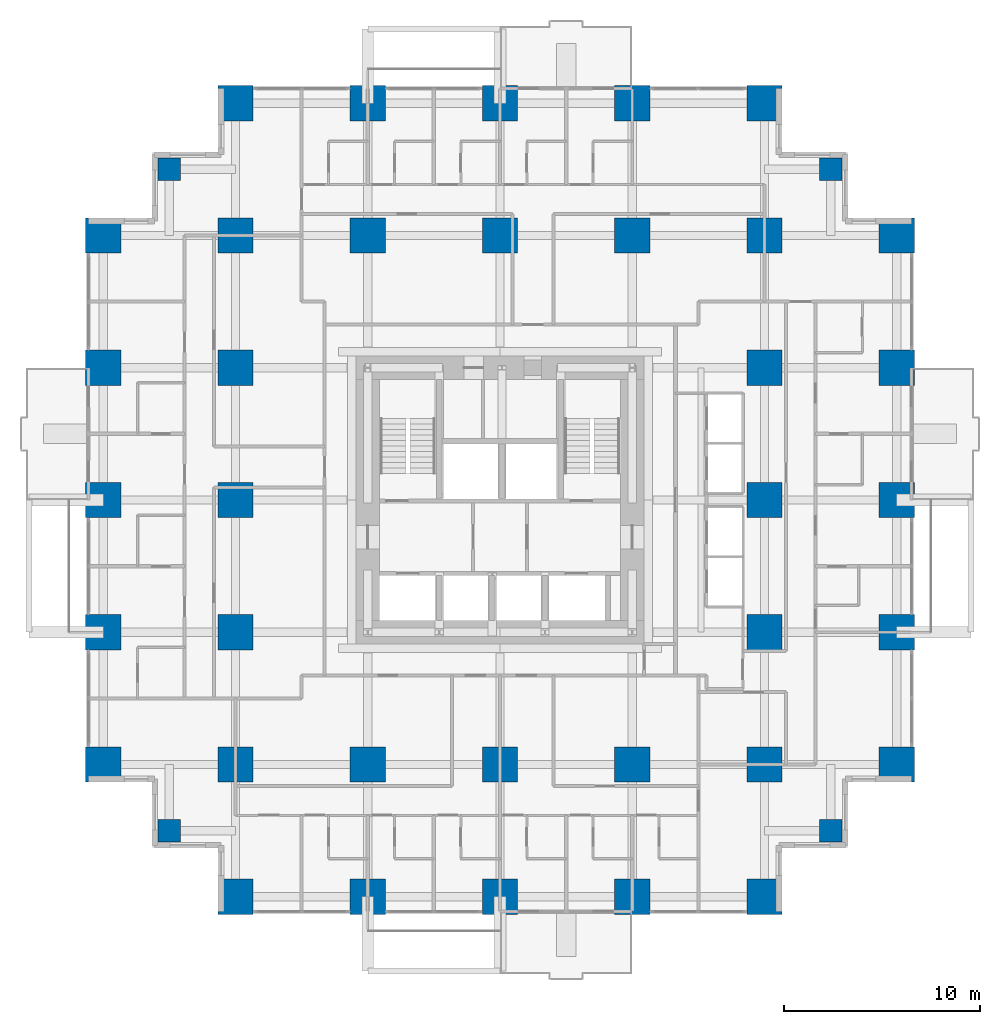
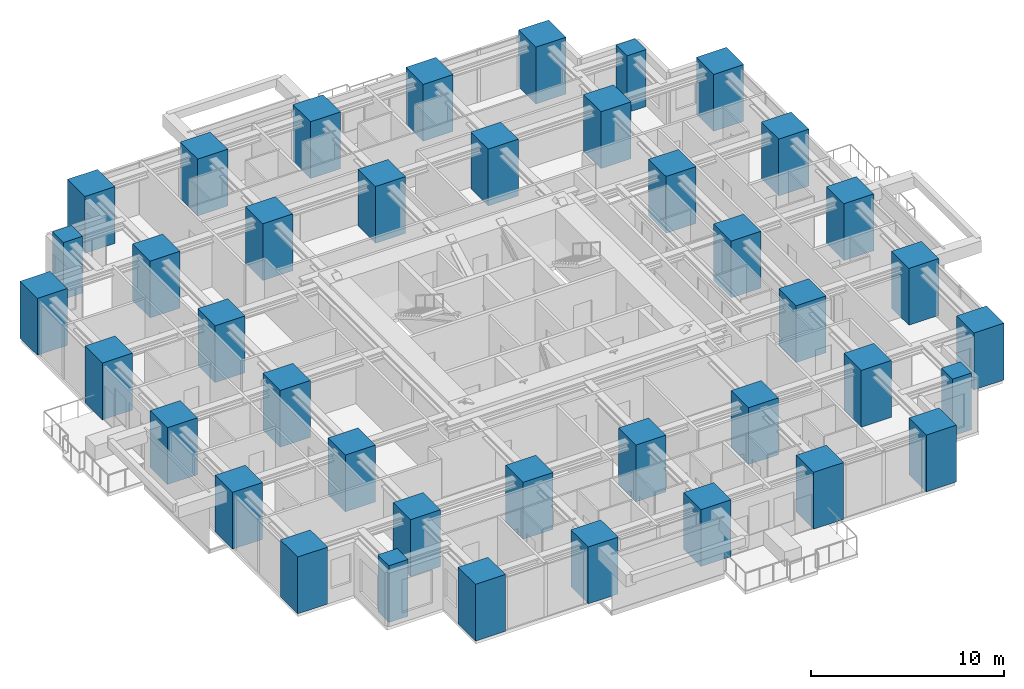
# One storey, part 1 of 14: 40 columns.
"""IFC4 building model written with IfcOpenShell, lengths in metres."""

import ifcopenshell
import ifcopenshell.guid

model = None  # the IFC model being written
_history = None  # IfcOwnerHistory: only IFC2X3 demands one
_inside = {}  # id of a spatial element -> (the spatial element, [elements in it])
_under = {}  # id of a project, library or spatial element -> (it, [spatial elements below it])
_declared = {}  # id of a project -> (the project, [libraries it declares])
_typed = {}  # id of a type object -> (the type object, [elements of that type])
_made_of = {}  # id of a material, layer set ... -> (it, [elements and type objects made of it])


def new_model(schema):
    """Start an empty IFC model of exactly this schema.

    Asked for "IFC4X3", IfcOpenShell would pick the latest addendum, in which some entities
    have other attributes; the version numbers below select the first issue.
    IFC2X3 requires an IfcOwnerHistory on every rooted entity: one is made here for all.
    """
    global model, _history
    if schema == "IFC4X3":
        model = ifcopenshell.file(schema_version=(4, 3, 0, 0))
    else:
        model = ifcopenshell.file(schema=schema)
    _inside.clear()
    _under.clear()
    _declared.clear()
    _typed.clear()
    _made_of.clear()
    _history = None
    if model.schema == "IFC2X3":
        org = make("IfcOrganization", Name="unknown")
        user = make(
            "IfcPersonAndOrganization",
            ThePerson=make("IfcPerson", FamilyName="unknown"),
            TheOrganization=org,
        )
        app = make(
            "IfcApplication",
            ApplicationDeveloper=org,
            Version="unknown",
            ApplicationFullName="unknown",
            ApplicationIdentifier="unknown",
        )
        _history = make(
            "IfcOwnerHistory",
            OwningUser=user,
            OwningApplication=app,
            ChangeAction="ADDED",
            CreationDate=0,
        )
    return model


def make(cls, **values):
    """One entity of the class cls with the attributes given. An attribute that is None is left unset."""
    return model.create_entity(
        cls, **{name: value for name, value in values.items() if value is not None}
    )


def rooted(cls, **values):
    """An entity with a GlobalId (a new one), such as an element, a storey or a relation."""
    return make(cls, GlobalId=ifcopenshell.guid.new(), OwnerHistory=_history, **values)


def si_unit(unit_type, name, prefix=None):
    """IfcSIUnit, for example si_unit("LENGTHUNIT", "METRE", prefix="MILLI")."""
    return make("IfcSIUnit", UnitType=unit_type, Prefix=prefix, Name=name)


def assignment(units):
    """IfcUnitAssignment: the units of a project."""
    return None if units is None else make("IfcUnitAssignment", Units=units)


def point(xyz):
    """IfcCartesianPoint."""
    return None if xyz is None else make("IfcCartesianPoint", Coordinates=xyz)


def direction(xyz):
    """IfcDirection."""
    return None if xyz is None else make("IfcDirection", DirectionRatios=xyz)


def frame(location, z_axis=None, x_axis=None):
    """IfcAxis2Placement3D, a coordinate frame: its origin and axes. An axis left out is left unset."""
    return make(
        "IfcAxis2Placement3D",
        Location=point(location),
        Axis=direction(z_axis),
        RefDirection=direction(x_axis),
    )


def frame_2d(location, x_axis=None):
    """IfcAxis2Placement2D, a coordinate frame in the plane: its origin and x axis."""
    return make(
        "IfcAxis2Placement2D", Location=point(location), RefDirection=direction(x_axis)
    )


def origin():
    """The frame at (0, 0, 0) with its axes left unset."""
    return frame((0.0, 0.0, 0.0))


def origin_2d():
    """The frame at (0, 0) in the plane with its x axis left unset."""
    return frame_2d((0.0, 0.0))


def place(relative_to, where):
    """IfcLocalPlacement: puts the frame where relative to a parent placement (None: the world)."""
    return make(
        "IfcLocalPlacement", PlacementRelTo=relative_to, RelativePlacement=where
    )


def context(
    kind, dimensions, precision=None, world=None, true_north=None, identifier=None
):
    """IfcGeometricRepresentationContext, for example the 3D "Model" context."""
    return make(
        "IfcGeometricRepresentationContext",
        ContextIdentifier=identifier,
        ContextType=kind,
        CoordinateSpaceDimension=dimensions,
        Precision=precision,
        WorldCoordinateSystem=world,
        TrueNorth=true_north,
    )


def subcontext(parent, identifier, kind, view, scale=None):
    """IfcGeometricRepresentationSubContext, for example "Body" below "Model"."""
    return make(
        "IfcGeometricRepresentationSubContext",
        ContextIdentifier=identifier,
        ContextType=kind,
        ParentContext=parent,
        TargetScale=scale,
        TargetView=view,
    )


def project(units=None, contexts=None):
    """IfcProject with its units and contexts."""
    return rooted(
        "IfcProject",
        Name="project",
        RepresentationContexts=contexts,
        UnitsInContext=assignment(units),
    )


def spatial(cls, under=None, at=None, **own):
    """A site, building, storey or space (cls), placed at a placement, below another one or the project."""
    s = rooted(cls, ObjectPlacement=at, **own)
    if under is not None:
        _under.setdefault(under.id(), (under, []))[1].append(s)
    return s


def profile(cls, at=None, kind="AREA", **sizes):
    """A parametric profile (cls). Its sizes go by their IFC names, for example OverallWidth=200.0."""
    return make(cls, ProfileType=kind, Position=at, **sizes)


def rectangle(**sizes):
    """IfcRectangleProfileDef."""
    return profile("IfcRectangleProfileDef", **sizes)


def extrude(swept, where, along, depth):
    """IfcExtrudedAreaSolid: the profile swept, set in the frame where, extruded along a direction by depth."""
    return make(
        "IfcExtrudedAreaSolid",
        SweptArea=swept,
        Position=where,
        ExtrudedDirection=direction(along),
        Depth=depth,
    )


def shape(context_of_items, identifier, shape_type, items):
    """IfcShapeRepresentation: the items that make up one representation, for example the "Body"."""
    return make(
        "IfcShapeRepresentation",
        ContextOfItems=context_of_items,
        RepresentationIdentifier=identifier,
        RepresentationType=shape_type,
        Items=items,
    )


def material(Name=None, Category=None):
    """IfcMaterial."""
    return make("IfcMaterial", Name=Name, Category=Category)


def material_profile(
    of_material, cross_section, Name=None, Category=None, Priority=None
):
    """IfcMaterialProfile: a cross section and its material."""
    return make(
        "IfcMaterialProfile",
        Name=Name,
        Material=of_material,
        Profile=cross_section,
        Priority=Priority,
        Category=Category,
    )


def profile_set(profiles, Name=None, composite=None):
    """IfcMaterialProfileSet."""
    return make(
        "IfcMaterialProfileSet",
        Name=Name,
        MaterialProfiles=profiles,
        CompositeProfile=composite,
    )


def made_of(thing, what):
    """Note that an element or type object is made of a material, layer set ...; save() writes the relation."""
    if what is not None:
        _made_of.setdefault(what.id(), (what, []))[1].append(thing)
    return thing


def type_object(cls, material=None, **own):
    """A type object (cls), such as IfcWallType, which elements share."""
    return made_of(rooted(cls, **own), material)


def element(
    cls,
    number,
    at=None,
    inside=None,
    cuts=None,
    type_object=None,
    material=None,
    context=None,
    identifier="Body",
    shape_type=None,
    held_by="IfcProductDefinitionShape",
    body=None,
    shapes=None,
    **own,
):
    """One element of the class cls, such as IfcWall. Its Tag is "e" and its number.

    at: its placement. inside: the storey or other place that contains it. cuts: it is an
    opening in that element (IfcRelVoidsElement). A single representation is given by context,
    identifier, shape_type and body (its items); several are given by shapes. held_by: the class
    of the entity that holds the representations. save() writes the other relations.
    """
    e = rooted(cls, Tag="e%d" % number, ObjectPlacement=at, **own)
    if body is not None:
        shapes = [shape(context, identifier, shape_type, body)]
    if shapes is not None:
        e.Representation = make(held_by, Representations=shapes)
    if inside is not None:
        _inside.setdefault(inside.id(), (inside, []))[1].append(e)
    if cuts is not None:
        rooted(
            "IfcRelVoidsElement", RelatingBuildingElement=cuts, RelatedOpeningElement=e
        )
    if type_object is not None:
        _typed.setdefault(type_object.id(), (type_object, []))[1].append(e)
    return made_of(e, material)


def aggregate(whole, parts):
    """IfcRelAggregates: a whole, such as a stair, and the parts it consists of."""
    return rooted("IfcRelAggregates", RelatingObject=whole, RelatedObjects=parts)


def save(model, path):
    """Write the relations noted so far, then the file.

    IfcRelAggregates (storeys below a building ...), IfcRelContainedInSpatialStructure (elements
    in a storey), IfcRelDefinesByType, IfcRelAssociatesMaterial and IfcRelDeclares: one each for
    every whole, place, type object, material and project.
    """
    for whole, parts in _under.values():
        aggregate(whole, parts)
    for where, things in _inside.values():
        rooted(
            "IfcRelContainedInSpatialStructure",
            RelatedElements=things,
            RelatingStructure=where,
        )
    for kind, things in _typed.values():
        rooted("IfcRelDefinesByType", RelatedObjects=things, RelatingType=kind)
    for what, things in _made_of.values():
        rooted("IfcRelAssociatesMaterial", RelatedObjects=things, RelatingMaterial=what)
    for by, libraries in _declared.values():
        rooted("IfcRelDeclares", RelatingContext=by, RelatedDefinitions=libraries)
    model.write(path)


model = new_model("IFC4")

# Units and contexts
model_context = context("Model", 3, precision=1e-05, world=origin(), true_north=direction((0.0, 1.0)))
body_context = subcontext(model_context, "Body", "Model", "MODEL_VIEW")
ifc_project = project(units=[si_unit("LENGTHUNIT", "METRE"), si_unit("AREAUNIT", "SQUARE_METRE"), si_unit("VOLUMEUNIT", "CUBIC_METRE"), si_unit("PLANEANGLEUNIT", "RADIAN"), si_unit("MASSUNIT", "GRAM", prefix="KILO")], contexts=[model_context])

# Site, building, storey
site_placement = place(None, origin())
site = spatial("IfcSite", under=ifc_project, at=site_placement, CompositionType="ELEMENT")
building_placement = place(site_placement, origin())
building = spatial("IfcBuilding", under=site, at=building_placement, Name="Nyansa Garden Tower", CompositionType="ELEMENT")
storey_placement = place(building_placement, frame((0.0, 0.0, 64.800048828125)))
storey = spatial("IfcBuildingStorey", under=building, at=storey_placement, Name="L17", CompositionType="ELEMENT", Elevation=64.800048828125)

# Columns
ifc_material_1 = material(Name="Concrete C70/85", Category="concrete")
ifc_material_profile_1 = material_profile(ifc_material_1, rectangle(XDim=1.14990234375, YDim=1.14990234375, at=origin_2d()), Name="RC 1150x1150")
ifc_profile_set_1 = profile_set([ifc_material_profile_1], Name="Concrete C70/85")
column_type_1 = type_object("IfcColumnType", Name="Column C115 RC 1150x1150", PredefinedType="COLUMN", material=ifc_profile_set_1)
for number, where, z_axis, x_axis, name in (
    (1, (3.375, 3.375, 0.0), (0.0, 0.0, 1.0), (1.0, 0.0, 0.0), "Column x3.375/y3.375 L17"),
    (2, (3.375, 37.125, 0.0), (0.0, 0.0, 1.0), (1.0, 0.0, 0.0), "Column x3.375/y37.125 L17"),
    (3, (37.125, 3.375, 0.0), (0.0, 0.0, 1.0), (1.0, 0.0, 0.0), "Column x37.125/y3.375 L17"),
    (4, (37.125, 37.125, 0.0), (0.0, 0.0, 1.0), (1.0, 0.0, 0.0), "Column x37.125/y37.125 L17"),
):
    element("IfcColumn", number, at=place(storey_placement, frame(where, z_axis=z_axis, x_axis=x_axis)), inside=storey, type_object=column_type_1, Name=name, PredefinedType="COLUMN", context=body_context, shape_type="SweptSolid", body=[
        extrude(rectangle(XDim=1.14990234375, YDim=1.14990234375, at=origin_2d()), origin(), (0.0, 0.0, 1.0), 3.599853515625),
    ])
ifc_material_2 = material(Name="Concrete C80/95", Category="concrete")
ifc_material_profile_2 = material_profile(ifc_material_2, rectangle(XDim=1.800048828125, YDim=1.800048828125, at=origin_2d()), Name="RC 1800x1800")
ifc_profile_set_2 = profile_set([ifc_material_profile_2], Name="Concrete C80/95")
column_type_2 = type_object("IfcColumnType", Name="Column C180 RC 1800x1800", PredefinedType="COLUMN", material=ifc_profile_set_2)
for number, where, z_axis, x_axis, name in (
    (5, (0.0, 6.75, 0.0), (0.0, 0.0, 1.0), (1.0, 0.0, 0.0), "Column 2/E L17"),
    (6, (0.0, 13.5, 0.0), (0.0, 0.0, 1.0), (1.0, 0.0, 0.0), "Column 2/F L17"),
    (7, (0.0, 20.25, 0.0), (0.0, 0.0, 1.0), (1.0, 0.0, 0.0), "Column 2/G L17"),
    (8, (0.0, 27.0, 0.0), (0.0, 0.0, 1.0), (1.0, 0.0, 0.0), "Column 2/H L17"),
    (9, (0.0, 33.75, 0.0), (0.0, 0.0, 1.0), (1.0, 0.0, 0.0), "Column 2/J L17"),
    (10, (6.75, 0.0, 0.0), (0.0, 0.0, 1.0), (1.0, 0.0, 0.0), "Column 3/D L17"),
    (11, (6.75, 6.75, 0.0), (0.0, 0.0, 1.0), (1.0, 0.0, 0.0), "Column 3/E L17"),
    (12, (6.75, 13.5, 0.0), (0.0, 0.0, 1.0), (1.0, 0.0, 0.0), "Column 3/F L17"),
    (13, (6.75, 20.25, 0.0), (0.0, 0.0, 1.0), (1.0, 0.0, 0.0), "Column 3/G L17"),
    (14, (6.75, 27.0, 0.0), (0.0, 0.0, 1.0), (1.0, 0.0, 0.0), "Column 3/H L17"),
    (15, (6.75, 33.75, 0.0), (0.0, 0.0, 1.0), (1.0, 0.0, 0.0), "Column 3/J L17"),
    (16, (6.75, 40.5, 0.0), (0.0, 0.0, 1.0), (1.0, 0.0, 0.0), "Column 3/K L17"),
    (17, (13.5, 0.0, 0.0), (0.0, 0.0, 1.0), (1.0, 0.0, 0.0), "Column 4/D L17"),
    (18, (13.5, 6.75, 0.0), (0.0, 0.0, 1.0), (1.0, 0.0, 0.0), "Column 4/E L17"),
    (19, (13.5, 33.75, 0.0), (0.0, 0.0, 1.0), (1.0, 0.0, 0.0), "Column 4/J L17"),
    (20, (13.5, 40.5, 0.0), (0.0, 0.0, 1.0), (1.0, 0.0, 0.0), "Column 4/K L17"),
    (21, (20.25, 0.0, 0.0), (0.0, 0.0, 1.0), (1.0, 0.0, 0.0), "Column 5/D L17"),
    (22, (20.25, 6.75, 0.0), (0.0, 0.0, 1.0), (1.0, 0.0, 0.0), "Column 5/E L17"),
    (23, (20.25, 33.75, 0.0), (0.0, 0.0, 1.0), (1.0, 0.0, 0.0), "Column 5/J L17"),
    (24, (20.25, 40.5, 0.0), (0.0, 0.0, 1.0), (1.0, 0.0, 0.0), "Column 5/K L17"),
    (25, (27.0, 0.0, 0.0), (0.0, 0.0, 1.0), (1.0, 0.0, 0.0), "Column 6/D L17"),
    (26, (27.0, 6.75, 0.0), (0.0, 0.0, 1.0), (1.0, 0.0, 0.0), "Column 6/E L17"),
    (27, (27.0, 33.75, 0.0), (0.0, 0.0, 1.0), (1.0, 0.0, 0.0), "Column 6/J L17"),
    (28, (27.0, 40.5, 0.0), (0.0, 0.0, 1.0), (1.0, 0.0, 0.0), "Column 6/K L17"),
    (29, (33.75, 0.0, 0.0), (0.0, 0.0, 1.0), (1.0, 0.0, 0.0), "Column 7/D L17"),
    (30, (33.75, 6.75, 0.0), (0.0, 0.0, 1.0), (1.0, 0.0, 0.0), "Column 7/E L17"),
    (31, (33.75, 13.5, 0.0), (0.0, 0.0, 1.0), (1.0, 0.0, 0.0), "Column 7/F L17"),
    (32, (33.75, 20.25, 0.0), (0.0, 0.0, 1.0), (1.0, 0.0, 0.0), "Column 7/G L17"),
    (33, (33.75, 27.0, 0.0), (0.0, 0.0, 1.0), (1.0, 0.0, 0.0), "Column 7/H L17"),
    (34, (33.75, 33.75, 0.0), (0.0, 0.0, 1.0), (1.0, 0.0, 0.0), "Column 7/J L17"),
    (35, (33.75, 40.5, 0.0), (0.0, 0.0, 1.0), (1.0, 0.0, 0.0), "Column 7/K L17"),
    (36, (40.5, 6.75, 0.0), (0.0, 0.0, 1.0), (1.0, 0.0, 0.0), "Column 8/E L17"),
    (37, (40.5, 13.5, 0.0), (0.0, 0.0, 1.0), (1.0, 0.0, 0.0), "Column 8/F L17"),
    (38, (40.5, 20.25, 0.0), (0.0, 0.0, 1.0), (1.0, 0.0, 0.0), "Column 8/G L17"),
    (39, (40.5, 27.0, 0.0), (0.0, 0.0, 1.0), (1.0, 0.0, 0.0), "Column 8/H L17"),
    (40, (40.5, 33.75, 0.0), (0.0, 0.0, 1.0), (1.0, 0.0, 0.0), "Column 8/J L17"),
):
    element("IfcColumn", number, at=place(storey_placement, frame(where, z_axis=z_axis, x_axis=x_axis)), inside=storey, type_object=column_type_2, Name=name, PredefinedType="COLUMN", context=body_context, shape_type="SweptSolid", body=[
        extrude(rectangle(XDim=1.800048828125, YDim=1.800048828125, at=origin_2d()), origin(), (0.0, 0.0, 1.0), 3.599853515625),
    ])

save(model, "model.ifc")
